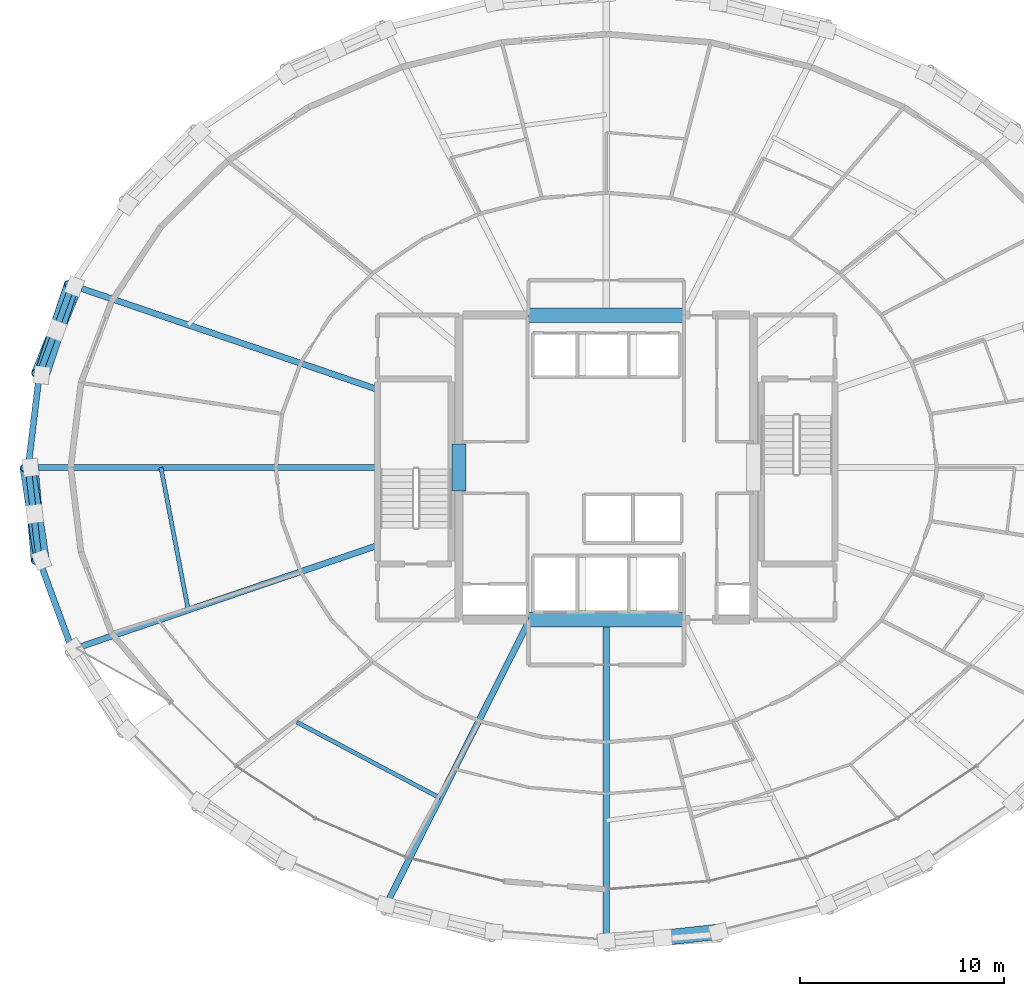
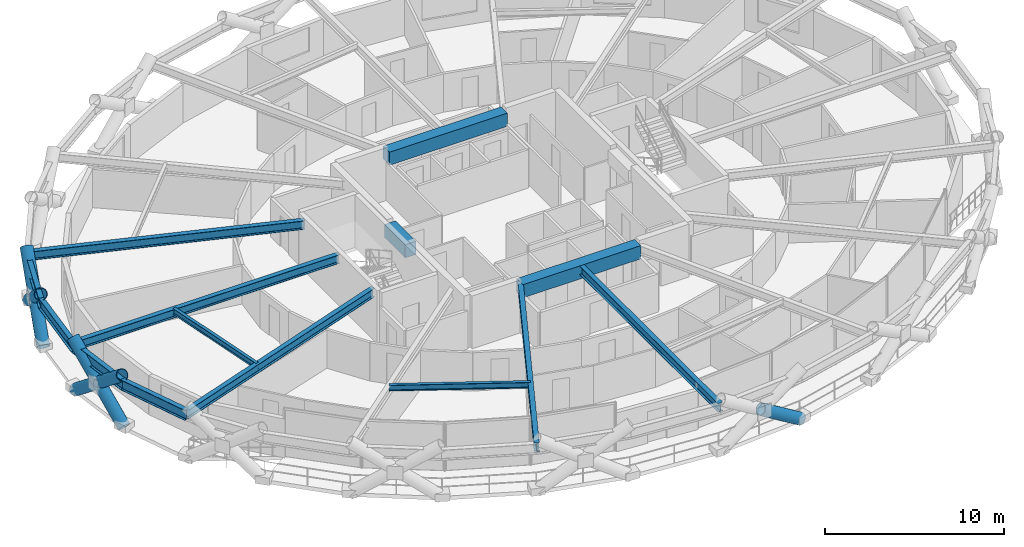
# One storey, part 6 of 19: 14 beams, 7 members.
"""IFC4 building model written with IfcOpenShell, lengths in metres."""

from ifc_helpers import new_model, si_unit, direction, frame, origin, origin_2d, place, context, subcontext, project, spatial, rectangle, hollow_circle, i_section, extrude, material, material_profile, profile_set, type_object, element, save


model = new_model("IFC4")

# Units and contexts
model_context = context("Model", 3, precision=1e-05, world=origin(), true_north=direction((0.0, 1.0)))
body_context = subcontext(model_context, "Body", "Model", "MODEL_VIEW")
ifc_project = project(units=[si_unit("LENGTHUNIT", "METRE"), si_unit("AREAUNIT", "SQUARE_METRE"), si_unit("VOLUMEUNIT", "CUBIC_METRE"), si_unit("PLANEANGLEUNIT", "RADIAN"), si_unit("MASSUNIT", "GRAM", prefix="KILO")], contexts=[model_context])

# Site, building, storey
site_placement = place(None, origin())
site = spatial("IfcSite", under=ifc_project, at=site_placement, CompositionType="ELEMENT")
building_placement = place(site_placement, origin())
building = spatial("IfcBuilding", under=site, at=building_placement, Name="Veldorina Hangang Commons", CompositionType="ELEMENT")
storey_placement = place(building_placement, frame((0.0, 0.0, 44.800048828125)))
storey = spatial("IfcBuildingStorey", under=building, at=storey_placement, Name="L10", CompositionType="ELEMENT", Elevation=44.800048828125)

# Beams
ifc_material_1 = material(Name="Concrete C70/85", Category="concrete")
ifc_material_profile_1 = material_profile(ifc_material_1, rectangle(XDim=0.699951171875, YDim=0.89990234375, at=origin_2d()), Name="RC-CB-700x900")
ifc_profile_set_1 = profile_set([ifc_material_profile_1], Name="Concrete C70/85")
beam_type_1 = type_object("IfcBeamType", Name="BM-CB900", PredefinedType="LINTEL", material=ifc_profile_set_1)
beam_1_placement = place(storey_placement, frame((24.800048828125, 22.85009765625, 2.889892578125), z_axis=(0.0, 1.0, 0.0), x_axis=(-1.0, 0.0, 0.0)))
element("IfcBeam", 1, at=beam_1_placement, inside=storey, type_object=beam_type_1, Name="L10 W core coupling lintel beam", PredefinedType="LINTEL", context=body_context, shape_type="SweptSolid", body=[
    extrude(rectangle(XDim=0.699951171875, YDim=0.89990234375, at=origin_2d()), origin(), (0.0, 0.0, 1.0), 2.2998046875),
])
for number, where, z_axis, x_axis, name in (
    (2, (28.199951171875, 16.550048828125, 2.889892578125), (1.0, 0.0, 0.0), (0.0, 1.0, 0.0), "L10 south core coupling beam"),
    (3, (28.199951171875, 31.449951171875, 2.889892578125), (1.0, 0.0, 0.0), (0.0, 1.0, 0.0), "L10 north core coupling beam"),
):
    element("IfcBeam", number, at=place(storey_placement, frame(where, z_axis=z_axis, x_axis=x_axis)), inside=storey, type_object=beam_type_1, Name=name, PredefinedType="LINTEL", context=body_context, shape_type="SweptSolid", body=[
        extrude(rectangle(XDim=0.699951171875, YDim=0.89990234375, at=origin_2d()), origin(), (0.0, 0.0, 1.0), 7.60009765625),
    ])
ifc_material_2 = material(Name="Steel SM460-TMC", Category="steel")
ifc_material_profile_2 = material_profile(ifc_material_2, i_section(OverallWidth=0.300048828125, OverallDepth=0.587890625, WebThickness=0.011962890625, FlangeThickness=0.02001953125, FilletRadius=0.01806640625, at=origin_2d()), Name="H-588x300x12x20")
ifc_profile_set_2 = profile_set([ifc_material_profile_2], Name="Steel SM460-TMC")
beam_type_2 = type_object("IfcBeamType", Name="BM-FG588", PredefinedType="BEAM", material=ifc_profile_set_2)
beam_2_placement = place(storey_placement, frame((20.820068359375, 27.81201171875, 3.0458984375), z_axis=(-0.946495801811, 0.32271612472, 0.0), x_axis=(-0.32271612472, -0.946495801811, 0.0)))
element("IfcBeam", 4, at=beam_2_placement, inside=storey, type_object=beam_type_2, Name="L10 radial floor girder 08", PredefinedType="BEAM", context=body_context, shape_type="SweptSolid", body=[
    extrude(i_section(OverallWidth=0.300048828125, OverallDepth=0.587890625, WebThickness=0.011962890625, FlangeThickness=0.02001953125, FilletRadius=0.01806640625, at=origin_2d()), origin(), (0.0, 0.0, 1.0), 15.785400390625),
])
beam_3_placement = place(storey_placement, frame((20.820068359375, 24.0, 3.0458984375), z_axis=(-1.0, 0.0, 0.0), x_axis=(0.0, -1.0, 0.0)))
element("IfcBeam", 5, at=beam_3_placement, inside=storey, type_object=beam_type_2, Name="L10 radial floor girder 09", PredefinedType="BEAM", context=body_context, shape_type="SweptSolid", body=[
    extrude(i_section(OverallWidth=0.300048828125, OverallDepth=0.587890625, WebThickness=0.011962890625, FlangeThickness=0.02001953125, FilletRadius=0.01806640625, at=origin_2d()), origin(), (0.0, 0.0, 1.0), 17.09326171875),
])
beam_4_placement = place(storey_placement, frame((20.820068359375, 20.18798828125, 3.0458984375), z_axis=(-0.946495801811, -0.32271612472, 0.0), x_axis=(0.32271612472, -0.946495801811, 0.0)))
element("IfcBeam", 6, at=beam_4_placement, inside=storey, type_object=beam_type_2, Name="L10 radial floor girder 10", PredefinedType="BEAM", context=body_context, shape_type="SweptSolid", body=[
    extrude(i_section(OverallWidth=0.300048828125, OverallDepth=0.587890625, WebThickness=0.011962890625, FlangeThickness=0.02001953125, FilletRadius=0.01806640625, at=origin_2d()), origin(), (0.0, 0.0, 1.0), 15.785400390625),
])
beam_5_placement = place(storey_placement, frame((28.251220703125, 16.550048828125, 3.0458984375), z_axis=(-0.449502945432, -0.893278848987, 0.0), x_axis=(0.893278848987, -0.449502945432, 0.0)))
element("IfcBeam", 7, at=beam_5_placement, inside=storey, type_object=beam_type_2, Name="L10 radial floor girder 12", PredefinedType="BEAM", context=body_context, shape_type="SweptSolid", body=[
    extrude(i_section(OverallWidth=0.300048828125, OverallDepth=0.587890625, WebThickness=0.011962890625, FlangeThickness=0.02001953125, FilletRadius=0.01806640625, at=origin_2d()), origin(), (0.0, 0.0, 1.0), 15.730224609375),
])
beam_6_placement = place(storey_placement, frame((32.0, 16.550048828125, 3.0458984375), z_axis=(0.0, -1.0, 0.0), x_axis=(1.0, 0.0, 0.0)))
element("IfcBeam", 8, at=beam_6_placement, inside=storey, type_object=beam_type_2, Name="L10 radial floor girder 13", PredefinedType="BEAM", context=body_context, shape_type="SweptSolid", body=[
    extrude(i_section(OverallWidth=0.300048828125, OverallDepth=0.587890625, WebThickness=0.011962890625, FlangeThickness=0.02001953125, FilletRadius=0.01806640625, at=origin_2d()), origin(), (0.0, 0.0, 1.0), 15.8232421875),
])
ifc_material_3 = material(Name="Steel SM355-TMC", Category="steel")
ifc_material_profile_3 = material_profile(ifc_material_3, i_section(OverallWidth=0.199951171875, OverallDepth=0.39990234375, WebThickness=0.008056640625, FlangeThickness=0.012939453125, FilletRadius=0.012939453125, at=origin_2d()), Name="H-400x200x8x13")
ifc_profile_set_3 = profile_set([ifc_material_profile_3], Name="Steel SM355-TMC")
beam_type_3 = type_object("IfcBeamType", Name="BM-JST400", PredefinedType="JOIST", material=ifc_profile_set_3)
beam_7_placement = place(storey_placement, frame((10.222412109375, 24.0, 3.139892578125), z_axis=(0.187998842427, -0.982169249797, 0.0), x_axis=(0.982169249797, 0.187998842427, 0.0)))
element("IfcBeam", 9, at=beam_7_placement, inside=storey, type_object=beam_type_3, Name="L10 secondary floor joist 09", PredefinedType="JOIST", context=body_context, shape_type="SweptSolid", body=[
    extrude(i_section(OverallWidth=0.199951171875, OverallDepth=0.39990234375, WebThickness=0.008056640625, FlangeThickness=0.012939453125, FilletRadius=0.012939453125, at=origin_2d()), origin(), (0.0, 0.0, 1.0), 7.096923828125),
])
beam_8_placement = place(storey_placement, frame((16.868896484375, 11.544921875, 3.139892578125), z_axis=(0.883693413733, -0.468066181779, 0.0), x_axis=(0.468066181779, 0.883693413733, 0.0)))
element("IfcBeam", 10, at=beam_8_placement, inside=storey, type_object=beam_type_3, Name="L10 secondary floor joist 11", PredefinedType="JOIST", context=body_context, shape_type="SweptSolid", body=[
    extrude(i_section(OverallWidth=0.199951171875, OverallDepth=0.39990234375, WebThickness=0.008056640625, FlangeThickness=0.012939453125, FilletRadius=0.012939453125, at=origin_2d()), origin(), (0.0, 0.0, 1.0), 7.91943359375),
])
ifc_material_profile_4 = material_profile(ifc_material_2, i_section(OverallWidth=0.300048828125, OverallDepth=0.699951171875, WebThickness=0.012939453125, FlangeThickness=0.02392578125, FilletRadius=0.02197265625, at=origin_2d()), Name="H-700x300x13x24")
ifc_profile_set_4 = profile_set([ifc_material_profile_4], Name="Steel SM460-TMC")
beam_type_4 = type_object("IfcBeamType", Name="BM-RB700", PredefinedType="BEAM", material=ifc_profile_set_4)
beam_9_placement = place(storey_placement, frame((5.879150390625, 32.90625, 2.989990234375), z_axis=(-0.345775872121, -0.938317135226, 0.0), x_axis=(0.938317135226, -0.345775872121, 0.0)))
element("IfcBeam", 11, at=beam_9_placement, inside=storey, type_object=beam_type_4, Name="L10 perimeter hoop ring beam 14", PredefinedType="BEAM", context=body_context, shape_type="SweptSolid", body=[
    extrude(i_section(OverallWidth=0.300048828125, OverallDepth=0.699951171875, WebThickness=0.012939453125, FlangeThickness=0.02392578125, FilletRadius=0.02197265625, at=origin_2d()), origin(), (0.0, 0.0, 1.0), 4.653076171875),
])
for number, where, z_axis, x_axis, name in (
    (12, (4.270263671875, 28.540283203125, 2.989990234375), (-0.118848364705, -0.992912416181, 0.0), (0.992912416181, -0.118848364705, 0.0), "L10 perimeter hoop ring beam 15"),
    (13, (3.726806640625, 24.0, 2.989990234375), (0.118848364705, -0.992912416181, 0.0), (0.992912416181, 0.118848364705, 0.0), "L10 perimeter hoop ring beam 16"),
):
    element("IfcBeam", number, at=place(storey_placement, frame(where, z_axis=z_axis, x_axis=x_axis)), inside=storey, type_object=beam_type_4, Name=name, PredefinedType="BEAM", context=body_context, shape_type="SweptSolid", body=[
        extrude(i_section(OverallWidth=0.300048828125, OverallDepth=0.699951171875, WebThickness=0.012939453125, FlangeThickness=0.02392578125, FilletRadius=0.02197265625, at=origin_2d()), origin(), (0.0, 0.0, 1.0), 4.57275390625),
    ])
beam_10_placement = place(storey_placement, frame((4.270263671875, 19.459716796875, 2.989990234375), z_axis=(0.345775872121, -0.938317135226, 0.0), x_axis=(0.938317135226, 0.345775872121, 0.0)))
element("IfcBeam", 14, at=beam_10_placement, inside=storey, type_object=beam_type_4, Name="L10 perimeter hoop ring beam 17", PredefinedType="BEAM", context=body_context, shape_type="SweptSolid", body=[
    extrude(i_section(OverallWidth=0.300048828125, OverallDepth=0.699951171875, WebThickness=0.012939453125, FlangeThickness=0.02392578125, FilletRadius=0.02197265625, at=origin_2d()), origin(), (0.0, 0.0, 1.0), 4.653076171875),
])

# Members
ifc_material_profile_5 = material_profile(ifc_material_2, hollow_circle(Radius=0.375, WallThickness=0.035888671875, at=origin_2d()), Name="CHS-750x36")
ifc_profile_set_5 = profile_set([ifc_material_profile_5], Name="Steel SM460-TMC")
member_type = type_object("IfcMemberType", Name="DG-CHS750", PredefinedType="BRACE", material=ifc_profile_set_5)
member_1_placement = place(storey_placement, frame((5.9921875, 32.859375, 0.0), z_axis=(-0.296833956703, -0.733205598113, 0.611799928933), x_axis=(0.926920315475, -0.375258216112, 0.0)))
element("IfcMember", 15, at=member_1_placement, inside=storey, type_object=member_type, Name="L10 continuous perimeter diagrid brace 14", PredefinedType="BRACE", context=body_context, shape_type="SweptSolid", body=[
    extrude(hollow_circle(Radius=0.375, WallThickness=0.035888671875, at=origin_2d()), origin(), (0.0, 0.0, 1.0), 5.884033203125),
])
member_2_placement = place(storey_placement, frame((4.39013671875, 28.5166015625, 0.0), z_axis=(0.249980279636, 0.749273334823, 0.613269377611), x_axis=(-0.948598756491, 0.316481277778, 0.0)))
element("IfcMember", 16, at=member_2_placement, inside=storey, type_object=member_type, Name="L10 split perimeter diagrid lower brace 15", PredefinedType="BRACE", context=body_context, shape_type="SweptSolid", body=[
    extrude(hollow_circle(Radius=0.375, WallThickness=0.035888671875, at=origin_2d()), origin(), (0.0, 0.0, 1.0), 2.926025390625),
])
member_3_placement = place(storey_placement, frame((5.12158203125, 30.708984375, 1.79443359375), z_axis=(0.249502464403, 0.749502417994, 0.613184022687), x_axis=(-0.948809184845, 0.315849854763, 0.0)))
element("IfcMember", 17, at=member_3_placement, inside=storey, type_object=member_type, Name="L10 split perimeter diagrid upper brace 15", PredefinedType="BRACE", context=body_context, shape_type="SweptSolid", body=[
    extrude(hollow_circle(Radius=0.375, WallThickness=0.035888671875, at=origin_2d()), origin(), (0.0, 0.0, 1.0), 2.9443359375),
])
member_4_placement = place(storey_placement, frame((3.84912109375, 24.0, 0.0), z_axis=(0.068222944551, -0.782085319397, 0.619425688054), x_axis=(0.996216857447, 0.086902088226, 0.0)))
element("IfcMember", 18, at=member_4_placement, inside=storey, type_object=member_type, Name="L10 continuous perimeter diagrid brace 16", PredefinedType="BRACE", context=body_context, shape_type="SweptSolid", body=[
    extrude(hollow_circle(Radius=0.375, WallThickness=0.035888671875, at=origin_2d()), origin(), (0.0, 0.0, 1.0), 5.8115234375),
])
member_5_placement = place(storey_placement, frame((4.39013671875, 19.4833984375, 0.0), z_axis=(-0.118401740997, 0.776516681178, 0.618872257887), x_axis=(-0.988574077865, -0.150735837054, 0.0)))
element("IfcMember", 19, at=member_5_placement, inside=storey, type_object=member_type, Name="L10 split perimeter diagrid lower brace 17", PredefinedType="BRACE", context=body_context, shape_type="SweptSolid", body=[
    extrude(hollow_circle(Radius=0.375, WallThickness=0.035888671875, at=origin_2d()), origin(), (0.0, 0.0, 1.0), 2.899169921875),
])
member_6_placement = place(storey_placement, frame((4.046875, 21.734619140625, 1.794189453125), z_axis=(-0.118244861362, 0.776499694673, 0.618923563078), x_axis=(-0.988603330598, -0.150543863146, 0.0)))
element("IfcMember", 20, at=member_6_placement, inside=storey, type_object=member_type, Name="L10 split perimeter diagrid upper brace 17", PredefinedType="BRACE", context=body_context, shape_type="SweptSolid", body=[
    extrude(hollow_circle(Radius=0.375, WallThickness=0.035888671875, at=origin_2d()), origin(), (0.0, 0.0, 1.0), 2.91748046875),
])
member_7_placement = place(storey_placement, frame((37.491943359375, 1.2939453125, 0.0), z_axis=(-0.832977807874, -0.0896984482, 0.545987325842), x_axis=(0.107065112275, -0.994252011179, 0.0)))
element("IfcMember", 21, at=member_7_placement, inside=storey, type_object=member_type, Name="L10 split perimeter diagrid lower brace 25", PredefinedType="BRACE", context=body_context, shape_type="SweptSolid", body=[
    extrude(hollow_circle(Radius=0.375, WallThickness=0.035888671875, at=origin_2d()), origin(), (0.0, 0.0, 1.0), 3.287841796875),
])

save(model, "model.ifc")
